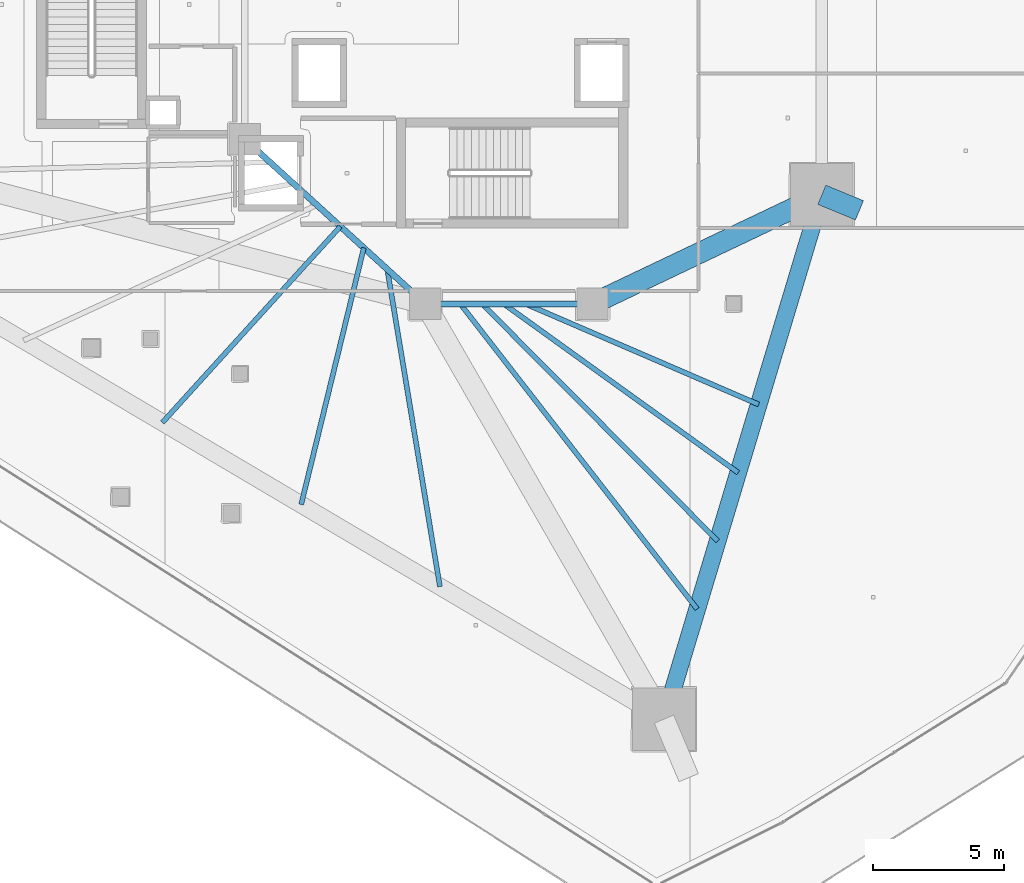
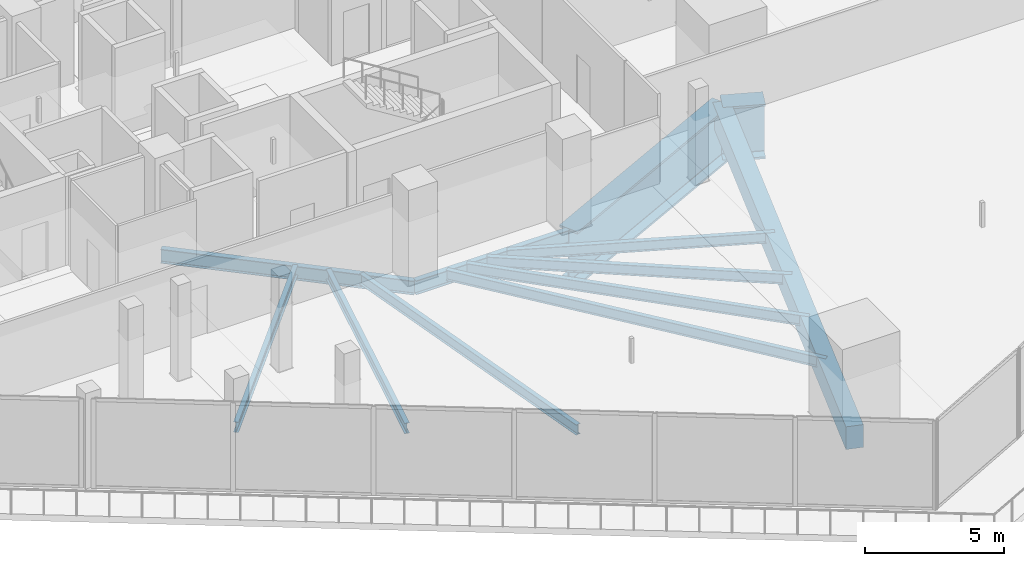
# One storey, part 11 of 42: 12 beams.
"""IFC4 building model written with IfcOpenShell, lengths in metres."""

from ifc_helpers import new_model, si_unit, direction, frame, origin, origin_2d, place, context, subcontext, project, spatial, rectangle, i_section, extrude, material, material_profile, profile_set, type_object, element, save


model = new_model("IFC4")

# Units and contexts
model_context = context("Model", 3, precision=1e-05, world=origin(), true_north=direction((0.0, 1.0)))
body_context = subcontext(model_context, "Body", "Model", "MODEL_VIEW")
ifc_project = project(units=[si_unit("LENGTHUNIT", "METRE"), si_unit("AREAUNIT", "SQUARE_METRE"), si_unit("VOLUMEUNIT", "CUBIC_METRE"), si_unit("PLANEANGLEUNIT", "RADIAN"), si_unit("MASSUNIT", "GRAM", prefix="KILO")], contexts=[model_context])

# Site, building, storey
site_placement = place(None, origin())
site = spatial("IfcSite", under=ifc_project, at=site_placement, CompositionType="ELEMENT")
building_placement = place(site_placement, origin())
building = spatial("IfcBuilding", under=site, at=building_placement, Name="Qorvath Tower", CompositionType="ELEMENT")
storey_placement = place(building_placement, frame((0.0, 0.0, 32.39990234375)))
storey = spatial("IfcBuildingStorey", under=building, at=storey_placement, Name="L06", CompositionType="ELEMENT", Elevation=32.39990234375)

# Beams
ifc_material_1 = material(Name="Steel ASTM A992 Grade 50", Category="steel")
ifc_material_profile_1 = material_profile(ifc_material_1, i_section(OverallWidth=0.22998046875, OverallDepth=0.616943359375, WebThickness=0.01318359375, FlangeThickness=0.022216796875, FilletRadius=0.014892578125, at=origin_2d()), Name="W24x94")
ifc_profile_set_1 = profile_set([ifc_material_profile_1], Name="Steel ASTM A992 Grade 50")
beam_type_1 = type_object("IfcBeamType", Name="BM-FG6", PredefinedType="BEAM", material=ifc_profile_set_1)
beam_1_placement = place(storey_placement, frame((-17.199951171875, -11.449951171875, -0.58837890625), z_axis=(-1.0, 0.0, 0.0), x_axis=(0.0, -1.0, 0.0)))
element("IfcBeam", 1, at=beam_1_placement, inside=storey, type_object=beam_type_1, Name="Core Ring Girder CC3-CC4 L06", PredefinedType="BEAM", context=body_context, shape_type="SweptSolid", body=[
    extrude(i_section(OverallWidth=0.22998046875, OverallDepth=0.616943359375, WebThickness=0.01318359375, FlangeThickness=0.022216796875, FilletRadius=0.014892578125, at=origin_2d()), origin(), (0.0, 0.0, 1.0), 6.400146484375),
])
beam_2_placement = place(storey_placement, frame((-23.60009765625, -11.449951171875, -0.58837890625), z_axis=(-0.73847813985, 0.6742774184, 0.0), x_axis=(-0.6742774184, -0.73847813985, 0.0)))
element("IfcBeam", 2, at=beam_2_placement, inside=storey, type_object=beam_type_1, Name="Core Ring Girder CC4-CC6 L06", PredefinedType="BEAM", context=body_context, shape_type="SweptSolid", body=[
    extrude(i_section(OverallWidth=0.22998046875, OverallDepth=0.616943359375, WebThickness=0.01318359375, FlangeThickness=0.022216796875, FilletRadius=0.014892578125, at=origin_2d()), origin(), (0.0, 0.0, 1.0), 9.343505859375),
])
ifc_material_2 = material(Name="Steel ASTM A992 Grade 50", Category="steel")
ifc_material_profile_2 = material_profile(ifc_material_2, i_section(OverallWidth=0.18994140625, OverallDepth=0.45703125, WebThickness=0.009033203125, FlangeThickness=0.014404296875, FilletRadius=0.011962890625, at=origin_2d()), Name="W18x50")
ifc_profile_set_2 = profile_set([ifc_material_profile_2], Name="Steel ASTM A992 Grade 50")
beam_type_2 = type_object("IfcBeamType", Name="BM-FJ2", PredefinedType="JOIST", material=ifc_profile_set_2)
beam_3_placement = place(storey_placement, frame((-19.760009765625, -11.449951171875, -0.50830078125), z_axis=(0.918135537923, -0.396266493667, 0.0), x_axis=(0.396266493667, 0.918135537923, 0.0)))
element("IfcBeam", 3, at=beam_3_placement, inside=storey, type_object=beam_type_2, Name="Composite Floor Joist SE3 L06", PredefinedType="JOIST", context=body_context, shape_type="SweptSolid", body=[
    extrude(i_section(OverallWidth=0.18994140625, OverallDepth=0.45703125, WebThickness=0.009033203125, FlangeThickness=0.014404296875, FilletRadius=0.011962890625, at=origin_2d()), origin(), (0.0, 0.0, 1.0), 9.7109375),
])
beam_4_placement = place(storey_placement, frame((-20.592041015625, -11.449951171875, -0.50830078125), z_axis=(0.811469358397, -0.584394969505, 0.0), x_axis=(0.584394969505, 0.811469358397, 0.0)))
element("IfcBeam", 4, at=beam_4_placement, inside=storey, type_object=beam_type_2, Name="Composite Floor Joist SE4 L06", PredefinedType="JOIST", context=body_context, shape_type="SweptSolid", body=[
    extrude(i_section(OverallWidth=0.18994140625, OverallDepth=0.45703125, WebThickness=0.009033203125, FlangeThickness=0.014404296875, FilletRadius=0.011962890625, at=origin_2d()), origin(), (0.0, 0.0, 1.0), 11.046142578125),
])
beam_5_placement = place(storey_placement, frame((-21.424072265625, -11.449951171875, -0.50830078125), z_axis=(0.705107654599, -0.709100271771, 0.0), x_axis=(0.709100271771, 0.705107654599, 0.0)))
element("IfcBeam", 5, at=beam_5_placement, inside=storey, type_object=beam_type_2, Name="Composite Floor Joist SE5 L06", PredefinedType="JOIST", context=body_context, shape_type="SweptSolid", body=[
    extrude(i_section(OverallWidth=0.18994140625, OverallDepth=0.45703125, WebThickness=0.009033203125, FlangeThickness=0.014404296875, FilletRadius=0.011962890625, at=origin_2d()), origin(), (0.0, 0.0, 1.0), 12.780029296875),
])
beam_6_placement = place(storey_placement, frame((-22.256103515625, -11.449951171875, -0.50830078125), z_axis=(0.613206963859, -0.789922286984, 0.0), x_axis=(0.789922286984, 0.613206963859, 0.0)))
element("IfcBeam", 6, at=beam_6_placement, inside=storey, type_object=beam_type_2, Name="Composite Floor Joist SE6 L06", PredefinedType="JOIST", context=body_context, shape_type="SweptSolid", body=[
    extrude(i_section(OverallWidth=0.18994140625, OverallDepth=0.45703125, WebThickness=0.009033203125, FlangeThickness=0.014404296875, FilletRadius=0.011962890625, at=origin_2d()), origin(), (0.0, 0.0, 1.0), 14.77294921875),
])
beam_7_placement = place(storey_placement, frame((-26.843017578125, -8.489013671875, -0.50830078125), z_axis=(-0.672128980215, -0.740434084815, 0.0), x_axis=(0.740434084815, -0.672128980215, 0.0)))
element("IfcBeam", 7, at=beam_7_placement, inside=storey, type_object=beam_type_2, Name="Composite Floor Joist SW4 L06", PredefinedType="JOIST", context=body_context, shape_type="SweptSolid", body=[
    extrude(i_section(OverallWidth=0.18994140625, OverallDepth=0.45703125, WebThickness=0.009033203125, FlangeThickness=0.014404296875, FilletRadius=0.011962890625, at=origin_2d()), origin(), (0.0, 0.0, 1.0), 10.1259765625),
])
beam_8_placement = place(storey_placement, frame((-25.946044921875, -9.30810546875, -0.50830078125), z_axis=(-0.237165308581, -0.97146930801, 0.0), x_axis=(0.97146930801, -0.237165308581, 0.0)))
element("IfcBeam", 8, at=beam_8_placement, inside=storey, type_object=beam_type_2, Name="Composite Floor Joist SW5 L06", PredefinedType="JOIST", context=body_context, shape_type="SweptSolid", body=[
    extrude(i_section(OverallWidth=0.18994140625, OverallDepth=0.45703125, WebThickness=0.009033203125, FlangeThickness=0.014404296875, FilletRadius=0.011962890625, at=origin_2d()), origin(), (0.0, 0.0, 1.0), 10.104736328125),
])
beam_9_placement = place(storey_placement, frame((-25.049072265625, -10.126953125, -0.50830078125), z_axis=(0.163639384475, -0.98652022374, 0.0), x_axis=(0.98652022374, 0.163639384475, 0.0)))
element("IfcBeam", 9, at=beam_9_placement, inside=storey, type_object=beam_type_2, Name="Composite Floor Joist SW6 L06", PredefinedType="JOIST", context=body_context, shape_type="SweptSolid", body=[
    extrude(i_section(OverallWidth=0.18994140625, OverallDepth=0.45703125, WebThickness=0.009033203125, FlangeThickness=0.014404296875, FilletRadius=0.011962890625, at=origin_2d()), origin(), (0.0, 0.0, 1.0), 12.301025390625),
])
ifc_material_3 = material(Name="Concrete C50/60", Category="concrete")
ifc_material_profile_3 = material_profile(ifc_material_3, rectangle(XDim=0.64990234375, YDim=1.0, at=origin_2d()), Name="RCB 1000x650")
ifc_profile_set_3 = profile_set([ifc_material_profile_3], Name="Concrete C50/60")
beam_type_3 = type_object("IfcBeamType", Name="BM-RCB1", PredefinedType="SPANDREL", material=ifc_profile_set_3)
beam_10_placement = place(storey_placement, frame((-14.46435546875, -27.330810546875, -0.77978515625), z_axis=(0.288118908799, 0.957594639914, 0.0), x_axis=(-0.957594639914, 0.288118908799, 0.0)))
element("IfcBeam", 10, at=beam_10_placement, inside=storey, type_object=beam_type_3, Name="Perimeter Loggia Frame Beam MC3-MC4 L06", PredefinedType="SPANDREL", context=body_context, shape_type="SweptSolid", body=[
    extrude(rectangle(XDim=0.64990234375, YDim=1.0, at=origin_2d()), origin(), (0.0, 0.0, 1.0), 20.942626953125),
])
ifc_material_4 = material(Name="Steel ASTM A572 Grade 50", Category="steel")
ifc_material_profile_4 = material_profile(ifc_material_4, i_section(OverallWidth=0.800048828125, OverallDepth=2.39990234375, WebThickness=0.044921875, FlangeThickness=0.090087890625, FilletRadius=0.02490234375, at=origin_2d()), Name="WTG 2400x800")
ifc_profile_set_4 = profile_set([ifc_material_profile_4], Name="Steel ASTM A572 Grade 50")
beam_type_4 = type_object("IfcBeamType", Name="BM-TG2", PredefinedType="BEAM", material=ifc_profile_set_4)
beam_11_placement = place(storey_placement, frame((-6.991943359375, -7.8720703125, -1.479736328125), z_axis=(-0.923909816921, 0.382610311149, 0.0), x_axis=(-0.382610311149, -0.923909816921, 0.0)))
element("IfcBeam", 11, at=beam_11_placement, inside=storey, type_object=beam_type_4, Name="Zone Step Transfer Tie MC4 L06", PredefinedType="BEAM", context=body_context, shape_type="SweptSolid", body=[
    extrude(i_section(OverallWidth=0.800048828125, OverallDepth=2.39990234375, WebThickness=0.044921875, FlangeThickness=0.090087890625, FilletRadius=0.02490234375, at=origin_2d()), origin(), (0.0, 0.0, 1.0), 1.556884765625),
])
beam_12_placement = place(storey_placement, frame((-8.430419921875, -7.2763671875, -1.479736328125), z_axis=(-0.902955751435, -0.429733534821, 0.0), x_axis=(0.429733534821, -0.902955751435, 0.0)))
element("IfcBeam", 12, at=beam_12_placement, inside=storey, type_object=beam_type_4, Name="Zone Step Transfer Girder CC3-MC4 L06", PredefinedType="BEAM", context=body_context, shape_type="SweptSolid", body=[
    extrude(i_section(OverallWidth=0.800048828125, OverallDepth=2.39990234375, WebThickness=0.044921875, FlangeThickness=0.090087890625, FilletRadius=0.02490234375, at=origin_2d()), origin(), (0.0, 0.0, 1.0), 9.7119140625),
])

save(model, "model.ifc")
